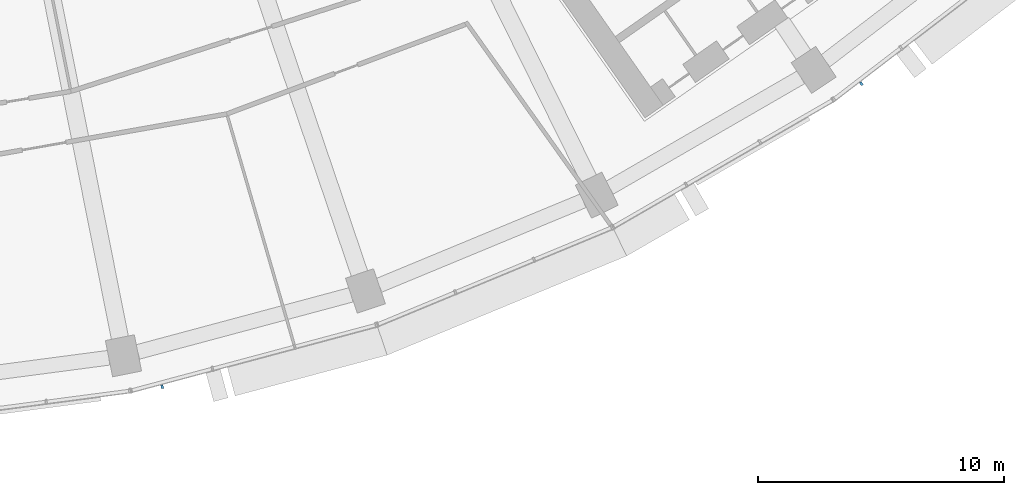
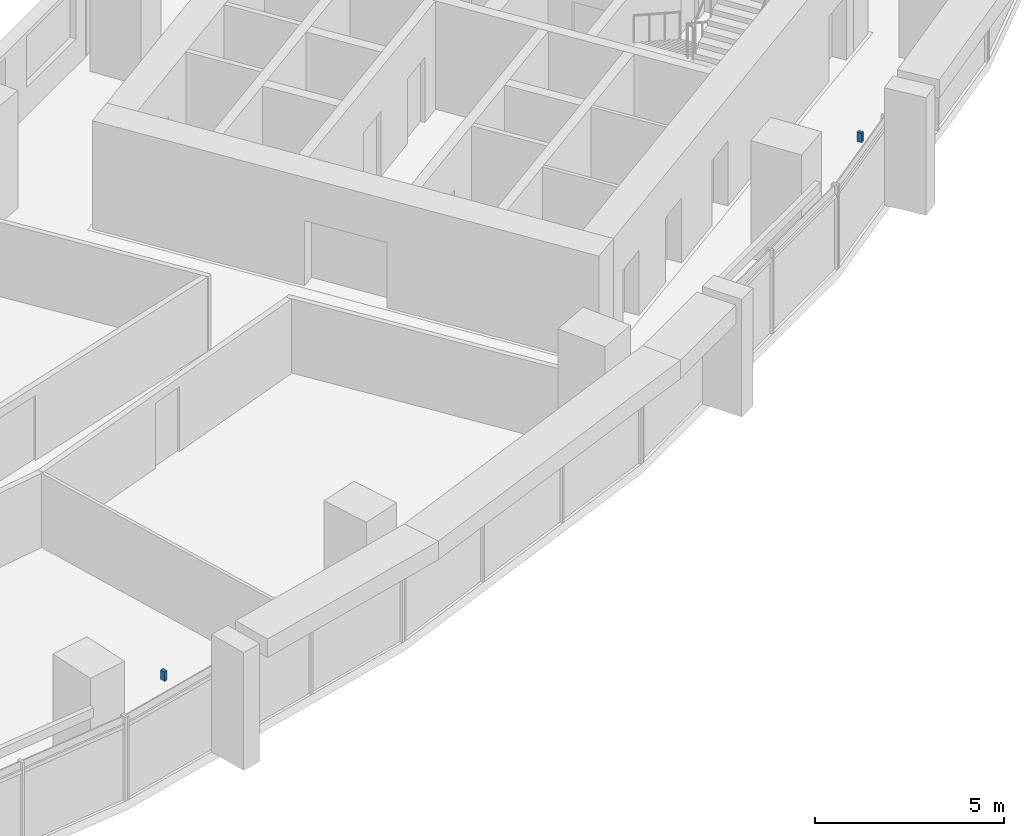
# One storey, part 10 of 29: 2 discrete accessories.
"""IFC4 building model written with IfcOpenShell, lengths in metres."""

from ifc_helpers import new_model, si_unit, direction, frame, origin, origin_2d, place, context, subcontext, project, spatial, rectangle, extrude, material, type_object, element, save


model = new_model("IFC4")

# Units and contexts
model_context = context("Model", 3, precision=1e-05, world=origin(), true_north=direction((0.0, 1.0)))
body_context = subcontext(model_context, "Body", "Model", "MODEL_VIEW")
ifc_project = project(units=[si_unit("LENGTHUNIT", "METRE"), si_unit("AREAUNIT", "SQUARE_METRE"), si_unit("VOLUMEUNIT", "CUBIC_METRE"), si_unit("PLANEANGLEUNIT", "RADIAN"), si_unit("MASSUNIT", "GRAM", prefix="KILO")], contexts=[model_context])

# Site, building, storey
site_placement = place(None, origin())
site = spatial("IfcSite", under=ifc_project, at=site_placement, CompositionType="ELEMENT")
building_placement = place(site_placement, origin())
building = spatial("IfcBuilding", under=site, at=building_placement, Name="Qamariyya Broadcast Tower", CompositionType="ELEMENT")
storey_placement = place(building_placement, frame((0.0, 0.0, 129.10009765625)))
storey = spatial("IfcBuildingStorey", under=building, at=storey_placement, Name="L29", CompositionType="ELEMENT", Elevation=129.10009765625)

# Discrete accessories
ifc_material = material(Name="Stainless steel 316", Category="steel")
discrete_accessory_type = type_object("IfcDiscreteAccessoryType", Name="Slab edge fixing angle, stainless steel", PredefinedType="BRACKET", material=ifc_material)
for number, where, z_axis, x_axis, name in (
    (1, (16.742431640625, -77.51318359375, 3.2998046875), (0.0, 0.0, 1.0), (0.965925826289, 0.258819045103, 0.0), "e-br-L29-11-0"),
    (2, (45.131103515625, -65.205810546875, 3.2998046875), (0.0, 0.0, 1.0), (0.793353340291, 0.608761429009, 0.0), "e-br-L29-14-0"),
):
    element("IfcDiscreteAccessory", number, at=place(storey_placement, frame(where, z_axis=z_axis, x_axis=x_axis)), inside=storey, type_object=discrete_accessory_type, Name=name, PredefinedType="BRACKET", context=body_context, shape_type="SweptSolid", body=[
        extrude(rectangle(XDim=0.10009765625, YDim=0.14990234375, at=origin_2d()), origin(), (0.0, 0.0, 1.0), 0.300048828125),
    ])

save(model, "model.ifc")
